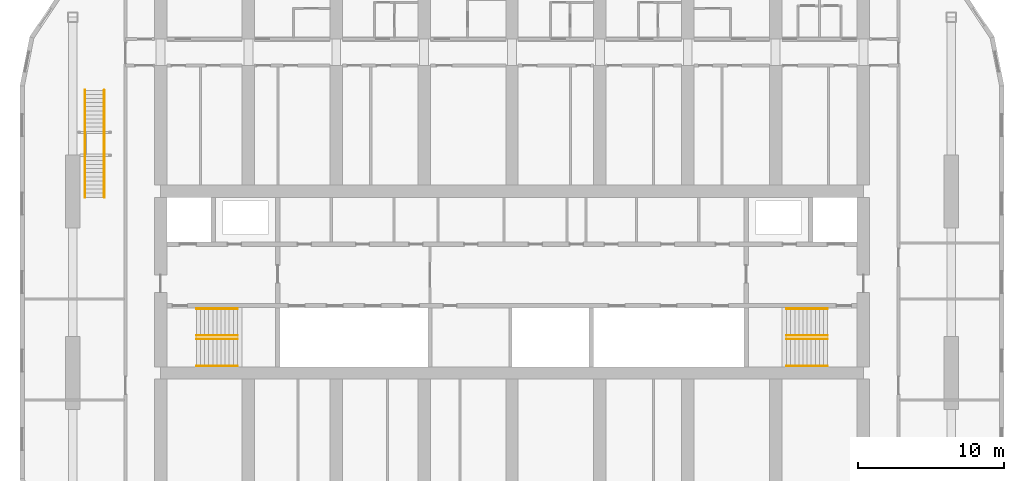
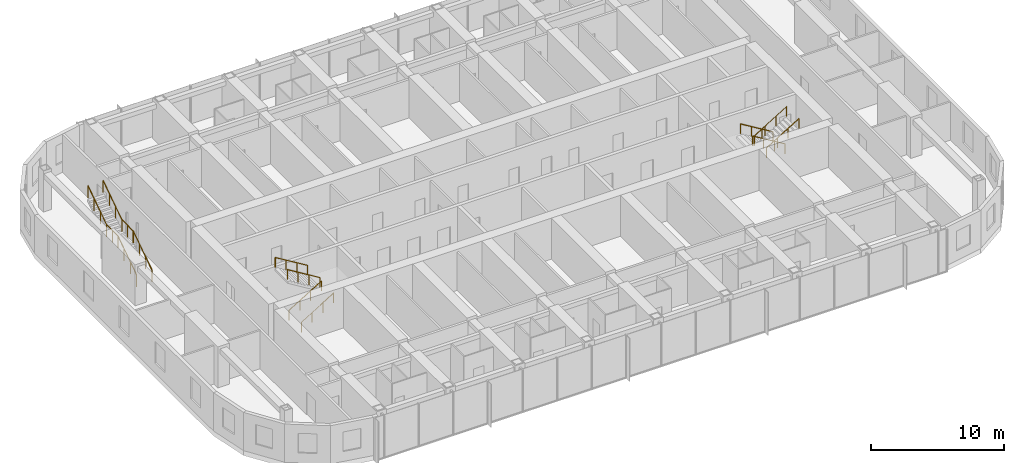
# One storey, part 29 of 29: 10 railings.
"""IFC4 building model written with IfcOpenShell, lengths in metres."""

from ifc_helpers import new_model, si_unit, direction, frame, origin, origin_2d, place, context, subcontext, project, spatial, circle, extrude, material, type_object, element, save


model = new_model("IFC4")

# Units and contexts
model_context = context("Model", 3, precision=1e-05, world=origin(), true_north=direction((0.0, 1.0)))
body_context = subcontext(model_context, "Body", "Model", "MODEL_VIEW")
ifc_project = project(units=[si_unit("LENGTHUNIT", "METRE"), si_unit("AREAUNIT", "SQUARE_METRE"), si_unit("VOLUMEUNIT", "CUBIC_METRE"), si_unit("PLANEANGLEUNIT", "RADIAN"), si_unit("MASSUNIT", "GRAM", prefix="KILO")], contexts=[model_context])

# Site, building, storey
site_placement = place(None, origin())
site = spatial("IfcSite", under=ifc_project, at=site_placement, CompositionType="ELEMENT")
building_placement = place(site_placement, origin())
building = spatial("IfcBuilding", under=site, at=building_placement, Name="Orbita Commons", CompositionType="ELEMENT")
storey_placement = place(building_placement, frame((0.0, 0.0, 163.60009765625)))
storey = spatial("IfcBuildingStorey", under=building, at=storey_placement, Name="L40", CompositionType="ELEMENT", Elevation=163.60009765625)

# Railings
ifc_material_1 = material(Name="Laminated glass, steel handrail", Category="steel")
railing_type_1 = type_object("IfcRailingType", Name="Feature stair balustrade, glass on steel stringer 1100", PredefinedType="BALUSTRADE", material=ifc_material_1)
for number, where, name in (
    (1, (12.840087890625, 37.800048828125, 0.0), "Neighbourhood stair L40 to L41 balustrade L"),
    (2, (14.159912109375, 37.800048828125, 0.0), "Neighbourhood stair L40 to L41 balustrade R"),
):
    element("IfcRailing", number, at=place(storey_placement, frame(where)), inside=storey, type_object=railing_type_1, Name=name, PredefinedType="BALUSTRADE", context=body_context, shape_type="SweptSolid", body=[
        extrude(circle(Radius=0.02490234375, at=origin_2d()), frame((0.0, 0.0, 1.0751953125), z_axis=(0.0, 0.830911662861, 0.55640435703), x_axis=(-1.0, 0.0, 0.0)), (0.0, 0.0, 1.0), 3.369873046875),
        extrude(circle(Radius=0.02490234375, at=origin_2d()), frame((0.0, 2.800048828125, 2.9501953125), z_axis=(0.0, 1.0, 0.0), x_axis=(-1.0, 0.0, 0.0)), (0.0, 0.0, 1.0), 1.7099609375),
        extrude(circle(Radius=0.02490234375, at=origin_2d()), frame((0.0, 4.510009765625, 2.9501953125), z_axis=(0.0, 0.830911662861, 0.55640435703), x_axis=(-1.0, 0.0, 0.0)), (0.0, 0.0, 1.0), 3.369873046875),
        extrude(circle(Radius=0.02001953125, at=origin_2d()), origin(), (0.0, 0.0, 1.0), 1.050048828125),
        extrude(circle(Radius=0.02001953125, at=origin_2d()), frame((0.0, 0.933349609375, 0.625)), (0.0, 0.0, 1.0), 1.050048828125),
        extrude(circle(Radius=0.02001953125, at=origin_2d()), frame((0.0, 1.86669921875, 1.25)), (0.0, 0.0, 1.0), 1.050048828125),
        extrude(circle(Radius=0.02001953125, at=origin_2d()), frame((0.0, 2.800048828125, 1.875)), (0.0, 0.0, 1.0), 1.050048828125),
        extrude(circle(Radius=0.02001953125, at=origin_2d()), frame((0.0, 3.655029296875, 1.875)), (0.0, 0.0, 1.0), 1.050048828125),
        extrude(circle(Radius=0.02001953125, at=origin_2d()), frame((0.0, 4.510009765625, 1.875)), (0.0, 0.0, 1.0), 1.050048828125),
        extrude(circle(Radius=0.02001953125, at=origin_2d()), frame((0.0, 5.443359375, 2.5)), (0.0, 0.0, 1.0), 1.050048828125),
        extrude(circle(Radius=0.02001953125, at=origin_2d()), frame((0.0, 6.376708984375, 3.125)), (0.0, 0.0, 1.0), 1.050048828125),
        extrude(circle(Radius=0.02001953125, at=origin_2d()), frame((0.0, 7.31005859375, 3.75)), (0.0, 0.0, 1.0), 1.050048828125),
    ])
ifc_material_2 = material(Name="Steel tube, painted", Category="steel")
railing_type_2 = type_object("IfcRailingType", Name="Stair handrail steel tube 900", PredefinedType="HANDRAIL", material=ifc_material_2)
for number, where, name in (
    (3, (20.449951171875, 28.114990234375, 0.17041015625), "Stair S1 handrail L40 flight 1"),
    (4, (20.449951171875, 26.284912109375, 0.17041015625), "Stair S1 handrail L40 flight 1"),
):
    element("IfcRailing", number, at=place(storey_placement, frame(where)), inside=storey, type_object=railing_type_2, Name=name, PredefinedType="HANDRAIL", context=body_context, shape_type="SweptSolid", body=[
        extrude(circle(Radius=0.02099609375, at=origin_2d()), frame((0.0, 0.0, 0.87890625), z_axis=(0.854169791009, 0.0, 0.51999420009), x_axis=(0.0, 1.0, 0.0)), (0.0, 0.0, 1.0), 3.278076171875),
        extrude(circle(Radius=0.02001953125, at=origin_2d()), origin(), (0.0, 0.0, 1.0), 0.85791015625),
        extrude(circle(Radius=0.02001953125, at=origin_2d()), frame((0.933349609375, 0.0, 0.568115234375)), (0.0, 0.0, 1.0), 0.85791015625),
        extrude(circle(Radius=0.02001953125, at=origin_2d()), frame((1.86669921875, 0.0, 1.136474609375)), (0.0, 0.0, 1.0), 0.85791015625),
        extrude(circle(Radius=0.02001953125, at=origin_2d()), frame((2.800048828125, 0.0, 1.70458984375)), (0.0, 0.0, 1.0), 0.85791015625),
    ])
for number, where, name in (
    (5, (23.25, 28.360107421875, 2.04541015625), "Stair S1 handrail L40 flight 2"),
    (6, (23.25, 30.18994140625, 2.04541015625), "Stair S1 handrail L40 flight 2"),
    (7, (63.550048828125, 28.360107421875, 0.17041015625), "Stair S2 handrail L40 flight 1"),
    (8, (63.550048828125, 30.18994140625, 0.17041015625), "Stair S2 handrail L40 flight 1"),
):
    element("IfcRailing", number, at=place(storey_placement, frame(where)), inside=storey, type_object=railing_type_2, Name=name, PredefinedType="HANDRAIL", context=body_context, shape_type="SweptSolid", body=[
        extrude(circle(Radius=0.02099609375, at=origin_2d()), frame((0.0, 0.0, 0.87890625), z_axis=(-0.854169791009, 0.0, 0.51999420009), x_axis=(0.0, -1.0, 0.0)), (0.0, 0.0, 1.0), 3.278076171875),
        extrude(circle(Radius=0.02001953125, at=origin_2d()), origin(), (0.0, 0.0, 1.0), 0.85791015625),
        extrude(circle(Radius=0.02001953125, at=origin_2d()), frame((-0.933349609375, 0.0, 0.568115234375)), (0.0, 0.0, 1.0), 0.85791015625),
        extrude(circle(Radius=0.02001953125, at=origin_2d()), frame((-1.86669921875, 0.0, 1.136474609375)), (0.0, 0.0, 1.0), 0.85791015625),
        extrude(circle(Radius=0.02001953125, at=origin_2d()), frame((-2.800048828125, 0.0, 1.70458984375)), (0.0, 0.0, 1.0), 0.85791015625),
    ])
for number, where, name in (
    (9, (60.75, 28.114990234375, 2.04541015625), "Stair S2 handrail L40 flight 2"),
    (10, (60.75, 26.284912109375, 2.04541015625), "Stair S2 handrail L40 flight 2"),
):
    element("IfcRailing", number, at=place(storey_placement, frame(where)), inside=storey, type_object=railing_type_2, Name=name, PredefinedType="HANDRAIL", context=body_context, shape_type="SweptSolid", body=[
        extrude(circle(Radius=0.02099609375, at=origin_2d()), frame((0.0, 0.0, 0.87890625), z_axis=(0.854169791009, 0.0, 0.51999420009), x_axis=(0.0, 1.0, 0.0)), (0.0, 0.0, 1.0), 3.278076171875),
        extrude(circle(Radius=0.02001953125, at=origin_2d()), origin(), (0.0, 0.0, 1.0), 0.85791015625),
        extrude(circle(Radius=0.02001953125, at=origin_2d()), frame((0.933349609375, 0.0, 0.568115234375)), (0.0, 0.0, 1.0), 0.85791015625),
        extrude(circle(Radius=0.02001953125, at=origin_2d()), frame((1.86669921875, 0.0, 1.136474609375)), (0.0, 0.0, 1.0), 0.85791015625),
        extrude(circle(Radius=0.02001953125, at=origin_2d()), frame((2.800048828125, 0.0, 1.70458984375)), (0.0, 0.0, 1.0), 0.85791015625),
    ])

save(model, "model.ifc")
